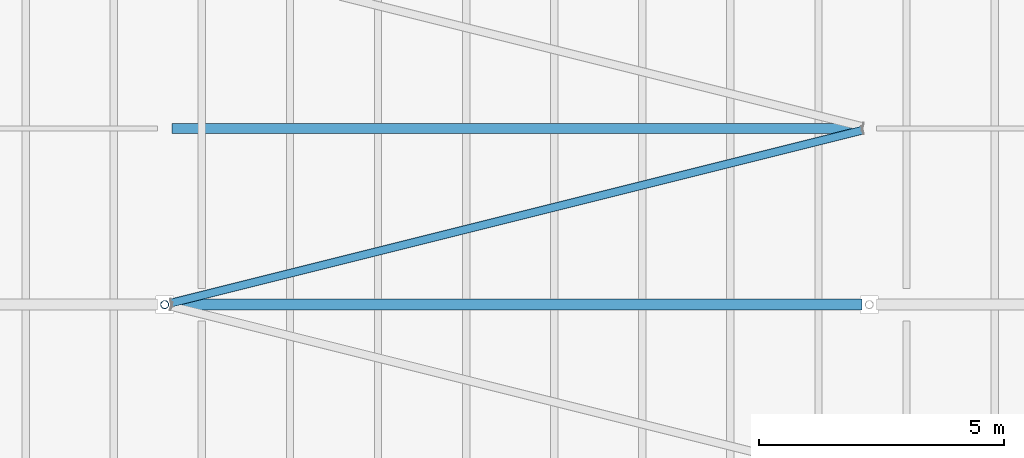
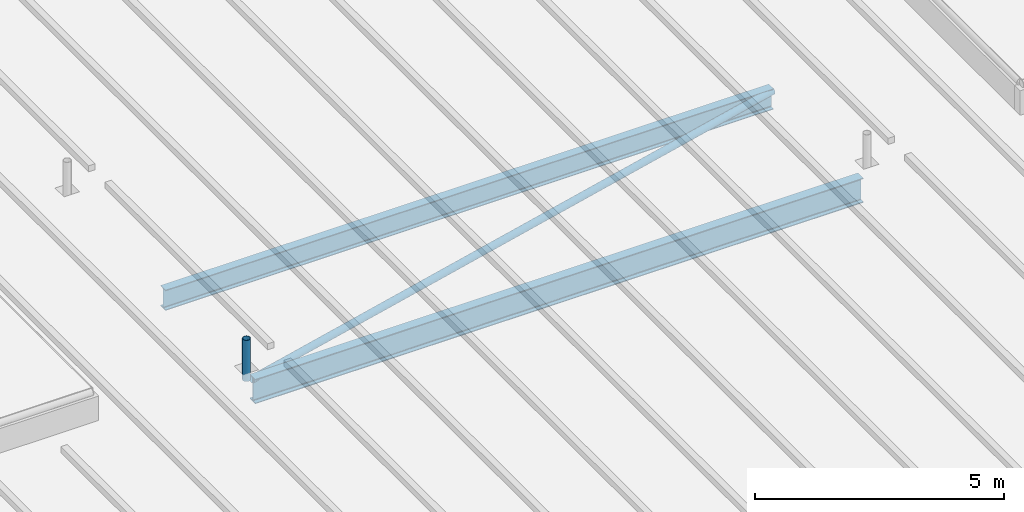
# One storey, part 25 of 120: 2 beams, 2 members.
"""IFC4 building model written with IfcOpenShell, lengths in metres."""

from ifc_helpers import new_model, si_unit, direction, frame, origin, origin_2d, place, context, subcontext, project, spatial, hollow_circle, i_section, extrude, material, material_profile, profile_set, type_object, element, save


model = new_model("IFC4")

# Units and contexts
model_context = context("Model", 3, precision=1e-05, world=origin(), true_north=direction((0.0, 1.0)))
body_context = subcontext(model_context, "Body", "Model", "MODEL_VIEW")
ifc_project = project(units=[si_unit("LENGTHUNIT", "METRE"), si_unit("AREAUNIT", "SQUARE_METRE"), si_unit("VOLUMEUNIT", "CUBIC_METRE"), si_unit("PLANEANGLEUNIT", "RADIAN"), si_unit("MASSUNIT", "GRAM", prefix="KILO")], contexts=[model_context])

# Site, building, storey
site_placement = place(None, origin())
site = spatial("IfcSite", under=ifc_project, at=site_placement, CompositionType="ELEMENT")
building_placement = place(site_placement, origin())
building = spatial("IfcBuilding", under=site, at=building_placement, Name="Kupolbacken Congress Centre", CompositionType="ELEMENT")
storey_placement = place(building_placement, frame((0.0, 0.0, 21.60009765625)))
storey = spatial("IfcBuildingStorey", under=building, at=storey_placement, Name="L06", CompositionType="ELEMENT", Elevation=21.60009765625)

# Beams
ifc_material_1 = material(Name="Steel S355", Category="steel")
ifc_material_profile_1 = material_profile(ifc_material_1, i_section(OverallWidth=0.199951171875, OverallDepth=0.5, WebThickness=0.01025390625, FlangeThickness=0.01611328125, FilletRadius=0.02099609375, at=origin_2d()), Name="IPE 500")
ifc_profile_set_1 = profile_set([ifc_material_profile_1], Name="Steel S355")
beam_type_1 = type_object("IfcBeamType", Name="B09 beam IPE 500", PredefinedType="BEAM", material=ifc_profile_set_1)
beam_1_placement = place(storey_placement, frame((122.544921875, 79.199951171875, -0.25), z_axis=(1.0, 0.0, 0.0), x_axis=(0.0, 1.0, 0.0)))
element("IfcBeam", 1, at=beam_1_placement, inside=storey, type_object=beam_type_1, Name="HR/P10-03", PredefinedType="BEAM", context=body_context, shape_type="SweptSolid", body=[
    extrude(i_section(OverallWidth=0.199951171875, OverallDepth=0.5, WebThickness=0.01025390625, FlangeThickness=0.01611328125, FilletRadius=0.02099609375, at=origin_2d()), origin(), (0.0, 0.0, 1.0), 14.110107421875),
])
ifc_material_2 = material(Name="Steel S355", Category="steel")
ifc_material_profile_2 = material_profile(ifc_material_2, i_section(OverallWidth=0.219970703125, OverallDepth=0.60009765625, WebThickness=0.011962890625, FlangeThickness=0.01904296875, FilletRadius=0.02392578125, at=origin_2d()), Name="IPE 600")
ifc_profile_set_2 = profile_set([ifc_material_profile_2], Name="Steel S355")
beam_type_2 = type_object("IfcBeamType", Name="B11 beam IPE 600", PredefinedType="BEAM", material=ifc_profile_set_2)
beam_2_placement = place(storey_placement, frame((122.544921875, 75.60009765625, -0.300048828125), z_axis=(1.0, 0.0, 0.0), x_axis=(0.0, 1.0, 0.0)))
element("IfcBeam", 2, at=beam_2_placement, inside=storey, type_object=beam_type_2, Name="HR/X09-03", PredefinedType="BEAM", context=body_context, shape_type="SweptSolid", body=[
    extrude(i_section(OverallWidth=0.219970703125, OverallDepth=0.60009765625, WebThickness=0.011962890625, FlangeThickness=0.01904296875, FilletRadius=0.02392578125, at=origin_2d()), origin(), (0.0, 0.0, 1.0), 14.110107421875),
])

# Members
ifc_material_3 = material(Name="Steel S355", Category="steel")
ifc_material_profile_3 = material_profile(ifc_material_3, hollow_circle(Radius=0.084228515625, WallThickness=0.008056640625, at=origin_2d()), Name="CHS 168.3 x 8")
ifc_profile_set_3 = profile_set([ifc_material_profile_3], Name="Steel S355")
member_type_1 = type_object("IfcMemberType", Name="M20 transfer truss post CHS 168.3 x 8", PredefinedType="STRUT", material=ifc_profile_set_3)
member_1_placement = place(storey_placement, frame((122.39990234375, 75.60009765625, -0.010009765625), z_axis=(0.0, 0.0, 1.0), x_axis=(1.0, 0.0, 0.0)))
element("IfcMember", 3, at=member_1_placement, inside=storey, type_object=member_type_1, Name="Roof stay anchor post M3S.2", PredefinedType="STRUT", context=body_context, shape_type="SweptSolid", body=[
    extrude(hollow_circle(Radius=0.084228515625, WallThickness=0.008056640625, at=origin_2d()), origin(), (0.0, 0.0, 1.0), 1.010009765625),
])
ifc_material_4 = material(Name="Steel S355", Category="steel")
ifc_material_profile_4 = material_profile(ifc_material_4, hollow_circle(Radius=0.084228515625, WallThickness=0.008056640625, at=origin_2d()), Name="CHS 168.3 x 8")
ifc_profile_set_4 = profile_set([ifc_material_profile_4], Name="Steel S355")
member_type_2 = type_object("IfcMemberType", Name="M21 brace CHS 168.3 x 8", PredefinedType="BRACE", material=ifc_profile_set_4)
member_2_placement = place(storey_placement, frame((122.540771484375, 75.63525390625, -0.084228515625), z_axis=(0.970144473737, 0.242527730535, 0.0), x_axis=(-0.242527730535, 0.970144473737, 0.0)))
element("IfcMember", 4, at=member_2_placement, inside=storey, type_object=member_type_2, Name="HR/RB/03-09", PredefinedType="BRACE", context=body_context, shape_type="SweptSolid", body=[
    extrude(hollow_circle(Radius=0.084228515625, WallThickness=0.008056640625, at=origin_2d()), origin(), (0.0, 0.0, 1.0), 14.55322265625),
])

save(model, "model.ifc")
